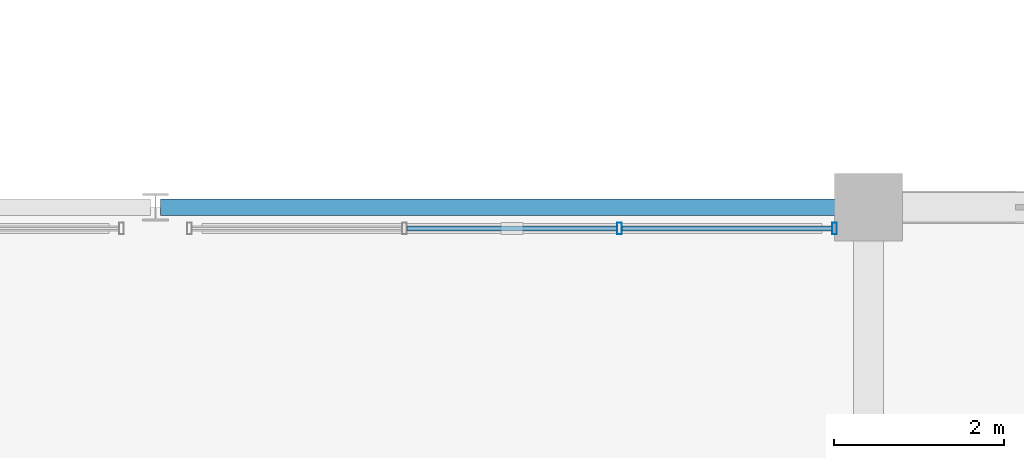
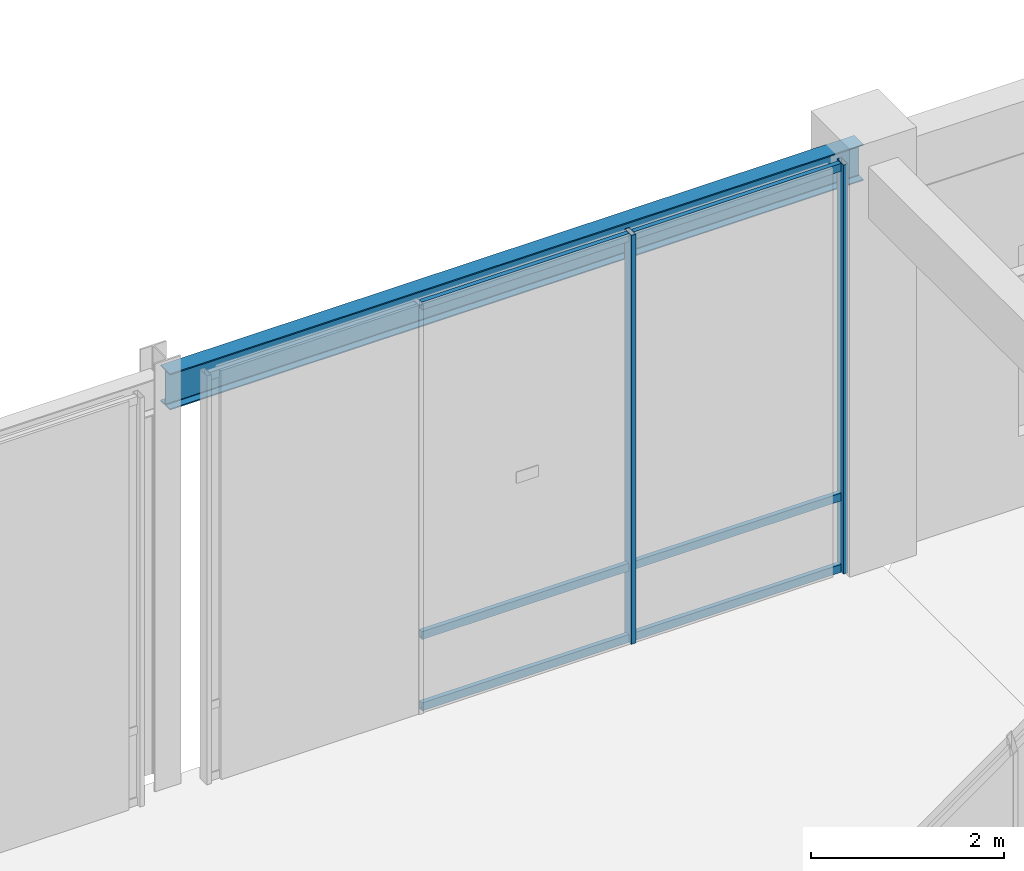
# One storey, part 41 of 157: 8 members, 1 beam, 1 element without a shape of its own.
"""IFC4 building model written with IfcOpenShell, lengths in metres."""

from ifc_helpers import new_model, si_unit, direction, frame, origin, origin_2d, place, context, subcontext, project, spatial, hollow_rectangle, i_section, extrude, material, material_profile, profile_set, type_object, element, aggregate, save


model = new_model("IFC4")

# Units and contexts
model_context = context("Model", 3, precision=1e-05, world=origin(), true_north=direction((0.0, 1.0)))
body_context = subcontext(model_context, "Body", "Model", "MODEL_VIEW")
ifc_project = project(units=[si_unit("LENGTHUNIT", "METRE"), si_unit("AREAUNIT", "SQUARE_METRE"), si_unit("VOLUMEUNIT", "CUBIC_METRE"), si_unit("PLANEANGLEUNIT", "RADIAN"), si_unit("MASSUNIT", "GRAM", prefix="KILO"), si_unit("THERMODYNAMICTEMPERATUREUNIT", "KELVIN"), si_unit("POWERUNIT", "WATT")], contexts=[model_context])

# Site, building, storey
site_placement = place(None, origin())
site = spatial("IfcSite", under=ifc_project, at=site_placement, CompositionType="ELEMENT")
building_placement = place(site_placement, origin())
building = spatial("IfcBuilding", under=site, at=building_placement, Name="Darbajah Civic Hall", CompositionType="ELEMENT")
storey_placement = place(building_placement, origin())
storey = spatial("IfcBuildingStorey", under=building, at=storey_placement, Name="L00", CompositionType="ELEMENT", Elevation=0.0)

# Curtain wall, members
ifc_material_1 = material(Name="Anodised Bronze Aluminium and Low-E Glazing", Category="aluminium")
curtain_wall_type = type_object("IfcCurtainWallType", Name="Unitised Curtain Wall CW-101 7600x5150", PredefinedType="USERDEFINED", material=ifc_material_1)
curtain_wall_placement = place(storey_placement, origin())
curtain_wall = element("IfcCurtainWall", 1, at=curtain_wall_placement, inside=storey, type_object=curtain_wall_type, Name="L00 unitised curtain wall CW-V6-SE-N2-L00", ObjectType="UNITISED CURTAIN WALL", PredefinedType="USERDEFINED")
ifc_material_2 = material(Name="Anodised Bronze Aluminium", Category="aluminium")
ifc_material_profile_1 = material_profile(ifc_material_2, hollow_rectangle(XDim=0.054931640625, YDim=0.139892578125, WallThickness=0.003173828125, at=origin_2d()), Name="ALU MULLION 55x140")
ifc_profile_set_1 = profile_set([ifc_material_profile_1], Name="Anodised Bronze Aluminium")
member_type_1 = type_object("IfcMemberType", Name="ALU MULLION 55x140", PredefinedType="MULLION", material=ifc_profile_set_1)
member_1_placement = place(storey_placement, frame((108.066650390625, 41.75, 0.0), z_axis=(0.0, 0.0, 1.0), x_axis=(1.0, 0.0, 0.0)))
member_1 = element("IfcMember", 2, at=member_1_placement, type_object=member_type_1, Name="CW-V6-SE-N2-L00 mullion 3", PredefinedType="MULLION", context=body_context, shape_type="SweptSolid", body=[
    extrude(hollow_rectangle(XDim=0.054931640625, YDim=0.139892578125, WallThickness=0.003173828125, at=origin_2d()), origin(), (0.0, 0.0, 1.0), 5.159912109375),
])
member_2_placement = place(storey_placement, frame((110.60009765625, 41.75, 0.0), z_axis=(0.0, 0.0, 1.0), x_axis=(1.0, 0.0, 0.0)))
member_2 = element("IfcMember", 3, at=member_2_placement, type_object=member_type_1, Name="CW-V6-SE-N2-L00 mullion 4", PredefinedType="MULLION", context=body_context, shape_type="SweptSolid", body=[
    extrude(hollow_rectangle(XDim=0.054931640625, YDim=0.139892578125, WallThickness=0.003173828125, at=origin_2d()), origin(), (0.0, 0.0, 1.0), 5.159912109375),
])
ifc_material_profile_2 = material_profile(ifc_material_2, hollow_rectangle(XDim=0.054931640625, YDim=0.10009765625, WallThickness=0.0029296875, at=origin_2d()), Name="ALU TRANSOM 55x100")
ifc_profile_set_2 = profile_set([ifc_material_profile_2], Name="Anodised Bronze Aluminium")
member_type_2 = type_object("IfcMemberType", Name="ALU TRANSOM 55x100", PredefinedType="USERDEFINED", material=ifc_profile_set_2)
member_3_placement = place(storey_placement, frame((105.56591796875, 41.75, 0.050048828125), z_axis=(1.0, 0.0, 0.0), x_axis=(0.0, 1.0, 0.0)))
member_3 = element("IfcMember", 4, at=member_3_placement, type_object=member_type_2, Name="CW-V6-SE-N2-L00 transom 2.1", ObjectType="TRANSOM", PredefinedType="USERDEFINED", context=body_context, shape_type="SweptSolid", body=[
    extrude(hollow_rectangle(XDim=0.054931640625, YDim=0.10009765625, WallThickness=0.0029296875, at=origin_2d()), origin(), (0.0, 0.0, 1.0), 2.46826171875),
])
member_4_placement = place(storey_placement, frame((105.56591796875, 41.75, 0.949951171875), z_axis=(1.0, 0.0, 0.0), x_axis=(0.0, 1.0, 0.0)))
member_4 = element("IfcMember", 5, at=member_4_placement, type_object=member_type_2, Name="CW-V6-SE-N2-L00 transom 2.2", ObjectType="TRANSOM", PredefinedType="USERDEFINED", context=body_context, shape_type="SweptSolid", body=[
    extrude(hollow_rectangle(XDim=0.054931640625, YDim=0.10009765625, WallThickness=0.0029296875, at=origin_2d()), origin(), (0.0, 0.0, 1.0), 2.46826171875),
])
member_5_placement = place(storey_placement, frame((105.56591796875, 41.75, 5.110107421875), z_axis=(1.0, 0.0, 0.0), x_axis=(0.0, 1.0, 0.0)))
member_5 = element("IfcMember", 6, at=member_5_placement, type_object=member_type_2, Name="CW-V6-SE-N2-L00 transom 2.3", ObjectType="TRANSOM", PredefinedType="USERDEFINED", context=body_context, shape_type="SweptSolid", body=[
    extrude(hollow_rectangle(XDim=0.054931640625, YDim=0.10009765625, WallThickness=0.0029296875, at=origin_2d()), origin(), (0.0, 0.0, 1.0), 2.46826171875),
])
member_6_placement = place(storey_placement, frame((108.09912109375, 41.75, 0.050048828125), z_axis=(1.0, 0.0, 0.0), x_axis=(0.0, 1.0, 0.0)))
member_6 = element("IfcMember", 7, at=member_6_placement, type_object=member_type_2, Name="CW-V6-SE-N2-L00 transom 3.1", ObjectType="TRANSOM", PredefinedType="USERDEFINED", context=body_context, shape_type="SweptSolid", body=[
    extrude(hollow_rectangle(XDim=0.054931640625, YDim=0.10009765625, WallThickness=0.0029296875, at=origin_2d()), origin(), (0.0, 0.0, 1.0), 2.46826171875),
])
member_7_placement = place(storey_placement, frame((108.09912109375, 41.75, 0.949951171875), z_axis=(1.0, 0.0, 0.0), x_axis=(0.0, 1.0, 0.0)))
member_7 = element("IfcMember", 8, at=member_7_placement, type_object=member_type_2, Name="CW-V6-SE-N2-L00 transom 3.2", ObjectType="TRANSOM", PredefinedType="USERDEFINED", context=body_context, shape_type="SweptSolid", body=[
    extrude(hollow_rectangle(XDim=0.054931640625, YDim=0.10009765625, WallThickness=0.0029296875, at=origin_2d()), origin(), (0.0, 0.0, 1.0), 2.46826171875),
])
member_8_placement = place(storey_placement, frame((108.09912109375, 41.75, 5.110107421875), z_axis=(1.0, 0.0, 0.0), x_axis=(0.0, 1.0, 0.0)))
member_8 = element("IfcMember", 9, at=member_8_placement, type_object=member_type_2, Name="CW-V6-SE-N2-L00 transom 3.3", ObjectType="TRANSOM", PredefinedType="USERDEFINED", context=body_context, shape_type="SweptSolid", body=[
    extrude(hollow_rectangle(XDim=0.054931640625, YDim=0.10009765625, WallThickness=0.0029296875, at=origin_2d()), origin(), (0.0, 0.0, 1.0), 2.46826171875),
])
aggregate(curtain_wall, [member_1, member_2, member_3, member_4, member_5, member_6, member_7, member_8])

# Beam
ifc_material_3 = material(Name="Steel S355JR", Category="steel")
ifc_material_profile_3 = material_profile(ifc_material_3, i_section(OverallWidth=0.1904296875, OverallDepth=0.45703125, WebThickness=0.009033203125, FlangeThickness=0.014404296875, FilletRadius=0.01025390625, at=origin_2d()), Name="UB 457x191x74")
ifc_profile_set_3 = profile_set([ifc_material_profile_3], Name="Steel S355JR")
beam_type = type_object("IfcBeamType", Name="UB 457x191x74", PredefinedType="BEAM", material=ifc_profile_set_3)
beam_placement = place(storey_placement, frame((102.659912109375, 42.0, 4.931396484375), z_axis=(1.0, 0.0, 0.0), x_axis=(0.0, 1.0, 0.0)))
element("IfcBeam", 10, at=beam_placement, inside=storey, type_object=beam_type, Name="L00 beam SB-457", PredefinedType="BEAM", context=body_context, shape_type="SweptSolid", body=[
    extrude(i_section(OverallWidth=0.1904296875, OverallDepth=0.45703125, WebThickness=0.009033203125, FlangeThickness=0.014404296875, FilletRadius=0.01025390625, at=origin_2d()), origin(), (0.0, 0.0, 1.0), 8.280029296875),
])

save(model, "model.ifc")
